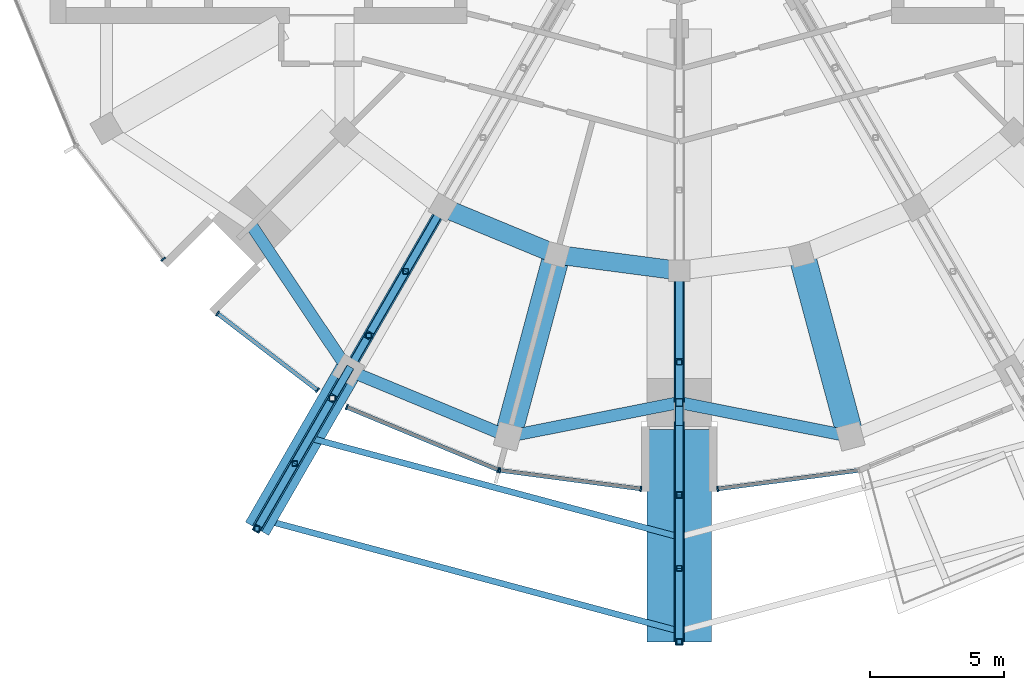
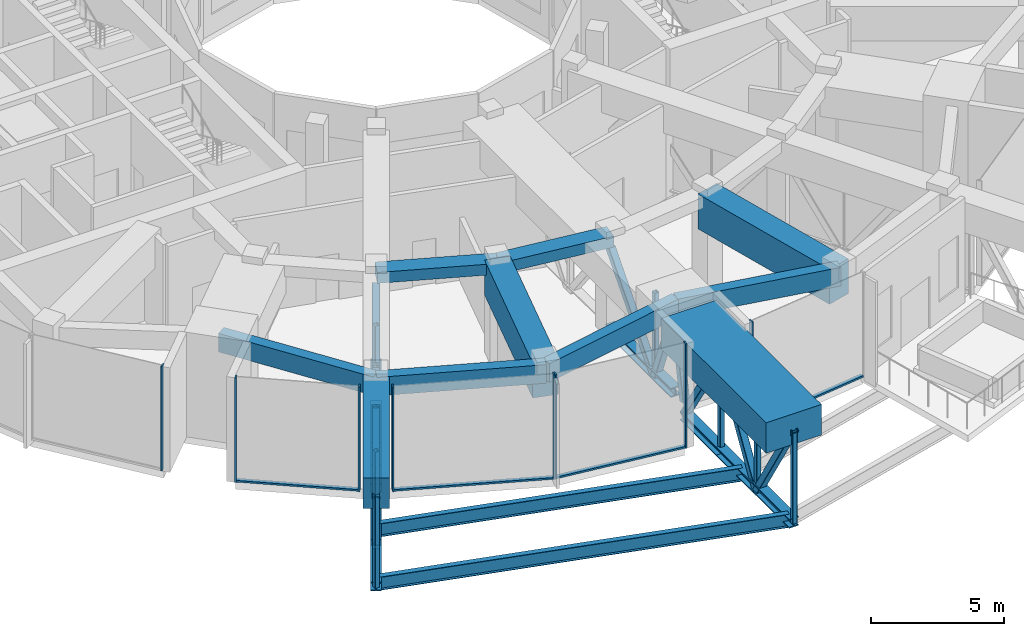
# One storey, part 2 of 17: 44 members, 12 beams, 5 elements without a shape of their own.
"""IFC4 building model written with IfcOpenShell, lengths in metres."""

from ifc_helpers import new_model, si_unit, direction, frame, origin, origin_2d, place, context, subcontext, project, spatial, rectangle, hollow_rectangle, i_section, extrude, material, layer, layer_set, material_profile, profile_set, type_object, element, aggregate, save


model = new_model("IFC4")

# Units and contexts
model_context = context("Model", 3, precision=1e-05, world=origin(), true_north=direction((0.0, 1.0)))
body_context = subcontext(model_context, "Body", "Model", "MODEL_VIEW")
ifc_project = project(units=[si_unit("LENGTHUNIT", "METRE"), si_unit("AREAUNIT", "SQUARE_METRE"), si_unit("VOLUMEUNIT", "CUBIC_METRE"), si_unit("PLANEANGLEUNIT", "RADIAN"), si_unit("MASSUNIT", "GRAM", prefix="KILO")], contexts=[model_context])

# Site, building, storey
site_placement = place(None, origin())
site = spatial("IfcSite", under=ifc_project, at=site_placement, CompositionType="ELEMENT")
building_placement = place(site_placement, origin())
building = spatial("IfcBuilding", under=site, at=building_placement, Name="Torre Brocal", CompositionType="ELEMENT")
storey_placement = place(building_placement, frame((0.0, 0.0, 270.89990234375)))
storey = spatial("IfcBuildingStorey", under=building, at=storey_placement, Name="L62", CompositionType="ELEMENT", Elevation=270.89990234375)

# Curtain wall, member
ifc_material_1 = material(Name="Aluminium and glass", Category="aluminium")
ifc_layer = layer(ifc_material_1, 0.199951171875)
ifc_layer_set = layer_set([ifc_layer], Name="Aluminium and glass")
curtain_wall_type = type_object("IfcCurtainWallType", Name="CW-1 CURTAIN WALL 4800 HIGH", PredefinedType="NOTDEFINED", material=ifc_layer_set)
curtain_wall_1_placement = place(storey_placement, origin())
curtain_wall_1 = element("IfcCurtainWall", 1, at=curtain_wall_1_placement, inside=storey, type_object=curtain_wall_type, Name="CW-1 RUN 15", PredefinedType="NOTDEFINED")
ifc_material_2 = material(Name="Aluminium, dark anodised", Category="aluminium")
ifc_material_profile_1 = material_profile(ifc_material_2, rectangle(XDim=0.199951171875, YDim=0.06005859375, at=origin_2d()), Name="CW-1 MULLION 60X200")
ifc_profile_set_1 = profile_set([ifc_material_profile_1], Name="Aluminium, dark anodised")
member_type_1 = type_object("IfcMemberType", Name="CW-1 MULLION 60X200", PredefinedType="MULLION", material=ifc_profile_set_1)
member_1_placement = place(storey_placement, frame((60.80859375, 57.83056640625, 0.0), z_axis=(0.0, 0.0, 1.0), x_axis=(0.793353340259, 0.60876142905, 0.0)))
member_1 = element("IfcMember", 2, at=member_1_placement, type_object=member_type_1, Name="CW1-7 mullion 2", PredefinedType="MULLION", context=body_context, shape_type="SweptSolid", body=[
    extrude(rectangle(XDim=0.199951171875, YDim=0.06005859375, at=origin_2d()), origin(), (0.0, 0.0, 1.0), 4.800048828125),
])
aggregate(curtain_wall_1, [member_1])

# Curtain wall, members
curtain_wall_2_placement = place(storey_placement, origin())
curtain_wall_2 = element("IfcCurtainWall", 3, at=curtain_wall_2_placement, inside=storey, type_object=curtain_wall_type, Name="CW-1 RUN 16", PredefinedType="NOTDEFINED")
member_2_placement = place(storey_placement, frame((62.83056640625, 55.80859375, 0.0), z_axis=(0.0, 0.0, 1.0), x_axis=(0.608761429119, 0.793353340206, 0.0)))
member_2 = element("IfcMember", 4, at=member_2_placement, type_object=member_type_1, Name="CW1-7 mullion 1", PredefinedType="MULLION", context=body_context, shape_type="SweptSolid", body=[
    extrude(rectangle(XDim=0.199951171875, YDim=0.06005859375, at=origin_2d()), origin(), (0.0, 0.0, 1.0), 4.800048828125),
])
member_3_placement = place(storey_placement, frame((66.546630859375, 52.957275390625, 0.0), z_axis=(0.0, 0.0, 1.0), x_axis=(0.608761429119, 0.793353340206, 0.0)))
member_3 = element("IfcMember", 5, at=member_3_placement, type_object=member_type_1, Name="CW1-7 mullion 2", PredefinedType="MULLION", context=body_context, shape_type="SweptSolid", body=[
    extrude(rectangle(XDim=0.199951171875, YDim=0.06005859375, at=origin_2d()), origin(), (0.0, 0.0, 1.0), 4.800048828125),
])

curtain_wall_3_placement = place(storey_placement, origin())
curtain_wall_3 = element("IfcCurtainWall", 6, at=curtain_wall_3_placement, inside=storey, type_object=curtain_wall_type, Name="CW-1 RUN 17", PredefinedType="NOTDEFINED")
member_4_placement = place(storey_placement, frame((67.63720703125, 52.32763671875, 0.0), z_axis=(0.0, 0.0, 1.0), x_axis=(0.382683432284, 0.923879532545, 0.0)))
member_4 = element("IfcMember", 7, at=member_4_placement, type_object=member_type_1, Name="CW1-7 mullion 1", PredefinedType="MULLION", context=body_context, shape_type="SweptSolid", body=[
    extrude(rectangle(XDim=0.199951171875, YDim=0.06005859375, at=origin_2d()), origin(), (0.0, 0.0, 1.0), 4.800048828125),
])
member_5_placement = place(storey_placement, frame((73.26904296875, 49.994873046875, 0.0), z_axis=(0.0, 0.0, 1.0), x_axis=(0.382683432284, 0.923879532545, 0.0)))
member_5 = element("IfcMember", 8, at=member_5_placement, type_object=member_type_1, Name="CW1-7 mullion 2", PredefinedType="MULLION", context=body_context, shape_type="SweptSolid", body=[
    extrude(rectangle(XDim=0.199951171875, YDim=0.06005859375, at=origin_2d()), origin(), (0.0, 0.0, 1.0), 4.800048828125),
])

curtain_wall_4_placement = place(storey_placement, origin())
curtain_wall_4 = element("IfcCurtainWall", 9, at=curtain_wall_4_placement, inside=storey, type_object=curtain_wall_type, Name="CW-1 RUN 18", PredefinedType="NOTDEFINED")
member_6_placement = place(storey_placement, frame((73.32666015625, 49.9794921875, 0.0), z_axis=(0.0, 0.0, 1.0), x_axis=(0.13052619222, 0.991444861374, 0.0)))
member_6 = element("IfcMember", 10, at=member_6_placement, type_object=member_type_1, Name="CW1-7 mullion 1", PredefinedType="MULLION", context=body_context, shape_type="SweptSolid", body=[
    extrude(rectangle(XDim=0.199951171875, YDim=0.06005859375, at=origin_2d()), origin(), (0.0, 0.0, 1.0), 4.800048828125),
])
member_7_placement = place(storey_placement, frame((78.5703125, 49.2890625, 0.0), z_axis=(0.0, 0.0, 1.0), x_axis=(0.13052619222, 0.991444861374, 0.0)))
member_7 = element("IfcMember", 11, at=member_7_placement, type_object=member_type_1, Name="CW1-7 mullion 2", PredefinedType="MULLION", context=body_context, shape_type="SweptSolid", body=[
    extrude(rectangle(XDim=0.199951171875, YDim=0.06005859375, at=origin_2d()), origin(), (0.0, 0.0, 1.0), 4.800048828125),
])

# Curtain wall, member
curtain_wall_5_placement = place(storey_placement, origin())
curtain_wall_5 = element("IfcCurtainWall", 12, at=curtain_wall_5_placement, inside=storey, type_object=curtain_wall_type, Name="CW-1 RUN 19", PredefinedType="NOTDEFINED")
member_8_placement = place(storey_placement, frame((81.4296875, 49.2890625, 0.0), z_axis=(0.0, 0.0, 1.0), x_axis=(-0.13052619222, 0.991444861374, 0.0)))
member_8 = element("IfcMember", 13, at=member_8_placement, type_object=member_type_1, Name="CW1-7 mullion 1", PredefinedType="MULLION", context=body_context, shape_type="SweptSolid", body=[
    extrude(rectangle(XDim=0.199951171875, YDim=0.06005859375, at=origin_2d()), origin(), (0.0, 0.0, 1.0), 4.800048828125),
])

# Member
ifc_material_3 = material(Name="Aluminium, dark anodised", Category="aluminium")
ifc_material_profile_2 = material_profile(ifc_material_3, rectangle(XDim=0.159912109375, YDim=0.080078125, at=origin_2d()), Name="CW-1 TRANSOM 160X80")
ifc_profile_set_2 = profile_set([ifc_material_profile_2], Name="Aluminium, dark anodised")
member_type_2 = type_object("IfcMemberType", Name="CW-1 TRANSOM 160X80", PredefinedType="USERDEFINED", material=ifc_profile_set_2)
member_9_placement = place(storey_placement, frame((62.8544921875, 55.790283203125, 0.0400390625), z_axis=(0.793355584282, -0.608758504572, 0.0), x_axis=(0.608758504572, 0.793355584282, 0.0)))
member_9 = element("IfcMember", 14, at=member_9_placement, type_object=member_type_2, Name="CW1-7 transom 1.1", ObjectType="TRANSOM", PredefinedType="USERDEFINED", context=body_context, shape_type="SweptSolid", body=[
    extrude(rectangle(XDim=0.159912109375, YDim=0.080078125, at=origin_2d()), origin(), (0.0, 0.0, 1.0), 4.623779296875),
])

aggregate(curtain_wall_2, [member_2, member_3, member_9])

member_10_placement = place(storey_placement, frame((67.6650390625, 52.316162109375, 0.0400390625), z_axis=(0.923880275831, -0.382681637828, 0.0), x_axis=(0.382681637828, 0.923880275831, 0.0)))
member_10 = element("IfcMember", 15, at=member_10_placement, type_object=member_type_2, Name="CW1-7 transom 1.1", ObjectType="TRANSOM", PredefinedType="USERDEFINED", context=body_context, shape_type="SweptSolid", body=[
    extrude(rectangle(XDim=0.159912109375, YDim=0.080078125, at=origin_2d()), origin(), (0.0, 0.0, 1.0), 6.035888671875),
])

aggregate(curtain_wall_3, [member_4, member_5, member_10])

member_11_placement = place(storey_placement, frame((73.356201171875, 49.9755859375, 0.0400390625), z_axis=(0.991442690863, -0.130542677827, 0.0), x_axis=(0.130542677827, 0.991442690863, 0.0)))
member_11 = element("IfcMember", 16, at=member_11_placement, type_object=member_type_2, Name="CW1-7 transom 1.1", ObjectType="TRANSOM", PredefinedType="USERDEFINED", context=body_context, shape_type="SweptSolid", body=[
    extrude(rectangle(XDim=0.159912109375, YDim=0.080078125, at=origin_2d()), origin(), (0.0, 0.0, 1.0), 5.22900390625),
])

aggregate(curtain_wall_4, [member_6, member_7, member_11])

member_12_placement = place(storey_placement, frame((81.45947265625, 49.29296875, 0.0400390625), z_axis=(0.991442690863, 0.130542677827, 0.0), x_axis=(-0.130542677827, 0.991442690863, 0.0)))
member_12 = element("IfcMember", 17, at=member_12_placement, type_object=member_type_2, Name="CW1-7 transom 1.1", ObjectType="TRANSOM", PredefinedType="USERDEFINED", context=body_context, shape_type="SweptSolid", body=[
    extrude(rectangle(XDim=0.159912109375, YDim=0.080078125, at=origin_2d()), origin(), (0.0, 0.0, 1.0), 5.22900390625),
])

aggregate(curtain_wall_5, [member_8, member_12])

# Beams
ifc_material_4 = material(Name="Steel A992", Category="steel")
ifc_material_profile_3 = material_profile(ifc_material_4, i_section(OverallWidth=0.22900390625, OverallDepth=0.612060546875, WebThickness=0.011962890625, FlangeThickness=0.01953125, at=origin_2d()), Name="W24X84")
ifc_profile_set_3 = profile_set([ifc_material_profile_3], Name="Steel A992")
beam_type_1 = type_object("IfcBeamType", Name="POOL CROSS BEAM TOP -300 W24X84", PredefinedType="BEAM", material=ifc_profile_set_3)
beam_1_placement = place(storey_placement, frame((66.25, 51.184326171875, -0.60595703125), z_axis=(0.965925391166, -0.258820669, 0.0), x_axis=(0.258820669, 0.965925391166, 0.0)))
element("IfcBeam", 18, at=beam_1_placement, inside=storey, type_object=beam_type_1, Name="Beam PX-01", PredefinedType="BEAM", context=body_context, shape_type="SweptSolid", body=[
    extrude(i_section(OverallWidth=0.22900390625, OverallDepth=0.612060546875, WebThickness=0.011962890625, FlangeThickness=0.01953125, at=origin_2d()), origin(), (0.0, 0.0, 1.0), 14.235107421875),
])
beam_2_placement = place(storey_placement, frame((64.5, 48.1533203125, -0.60595703125), z_axis=(0.965924146343, -0.258825314667, 0.0), x_axis=(0.258825314667, 0.965924146343, 0.0)))
element("IfcBeam", 19, at=beam_2_placement, inside=storey, type_object=beam_type_1, Name="Beam PX-01", PredefinedType="BEAM", context=body_context, shape_type="SweptSolid", body=[
    extrude(i_section(OverallWidth=0.22900390625, OverallDepth=0.612060546875, WebThickness=0.011962890625, FlangeThickness=0.01953125, at=origin_2d()), origin(), (0.0, 0.0, 1.0), 16.046875),
])

# Members
ifc_material_5 = material(Name="Steel A992", Category="steel")
ifc_material_profile_4 = material_profile(ifc_material_5, i_section(OverallWidth=0.406494140625, OverallDepth=0.41650390625, WebThickness=0.030029296875, FlangeThickness=0.048095703125, at=origin_2d()), Name="W14X257")
ifc_profile_set_4 = profile_set([ifc_material_profile_4], Name="Steel A992")
member_type_3 = type_object("IfcMemberType", Name="POOL TRUSS BOTTOM CHORD W14X257", PredefinedType="CHORD", material=ifc_profile_set_4)
for number, where, z_axis, x_axis, name in (
    (20, (71.199951171875, 59.758056640625, 0.091796875), (-0.499996545922, -0.866027397988, 0.0), (0.866027397988, -0.499996545922, 0.0), "Member CT-C04"),
    (21, (69.824951171875, 57.37646484375, 0.091796875), (-0.499996545922, -0.866027397988, 0.0), (0.866027397988, -0.499996545922, 0.0), "Member CT-C05"),
):
    element("IfcMember", number, at=place(storey_placement, frame(where, z_axis=z_axis, x_axis=x_axis)), inside=storey, type_object=member_type_3, Name=name, PredefinedType="CHORD", context=body_context, shape_type="SweptSolid", body=[
        extrude(i_section(OverallWidth=0.406494140625, OverallDepth=0.41650390625, WebThickness=0.030029296875, FlangeThickness=0.048095703125, at=origin_2d()), origin(), (0.0, 0.0, 1.0), 2.75),
    ])
member_13_placement = place(storey_placement, frame((68.449951171875, 54.994873046875, 0.091796875), z_axis=(-0.499990139034, -0.866031096941, 0.0), x_axis=(0.866031096941, -0.499990139034, 0.0)))
element("IfcMember", 22, at=member_13_placement, inside=storey, type_object=member_type_3, Name="Member CT-C06", PredefinedType="CHORD", context=body_context, shape_type="SweptSolid", body=[
    extrude(i_section(OverallWidth=0.406494140625, OverallDepth=0.41650390625, WebThickness=0.030029296875, FlangeThickness=0.048095703125, at=origin_2d()), origin(), (0.0, 0.0, 1.0), 1.5),
])
member_14_placement = place(storey_placement, frame((67.699951171875, 53.69580078125, 0.091796875), z_axis=(-0.499951716245, -0.866053278629, 0.0), x_axis=(0.866053278629, -0.499951716245, 0.0)))
element("IfcMember", 23, at=member_14_placement, inside=storey, type_object=member_type_3, Name="Member CT-C07", PredefinedType="CHORD", context=body_context, shape_type="SweptSolid", body=[
    extrude(i_section(OverallWidth=0.406494140625, OverallDepth=0.41650390625, WebThickness=0.030029296875, FlangeThickness=0.048095703125, at=origin_2d()), origin(), (0.0, 0.0, 1.0), 1.1982421875),
])
for number, where, z_axis, x_axis, name in (
    (24, (67.100830078125, 52.657958984375, -0.50830078125), (-0.500001639361, -0.866024457297, 0.0), (0.866024457297, -0.500001639361, 0.0), "Member CT-C08"),
    (25, (65.700439453125, 50.232421875, -0.50830078125), (-0.500001639361, -0.866024457297, 0.0), (0.866024457297, -0.500001639361, 0.0), "Member CT-C09"),
):
    element("IfcMember", number, at=place(storey_placement, frame(where, z_axis=z_axis, x_axis=x_axis)), inside=storey, type_object=member_type_3, Name=name, PredefinedType="CHORD", context=body_context, shape_type="SweptSolid", body=[
        extrude(i_section(OverallWidth=0.406494140625, OverallDepth=0.41650390625, WebThickness=0.030029296875, FlangeThickness=0.048095703125, at=origin_2d()), origin(), (0.0, 0.0, 1.0), 2.80078125),
    ])
member_15_placement = place(storey_placement, frame((80.0, 57.39990234375, 0.091796875), z_axis=(0.0, -1.0, 0.0), x_axis=(1.0, 0.0, 0.0)))
element("IfcMember", 26, at=member_15_placement, inside=storey, type_object=member_type_3, Name="Member CT-C13", PredefinedType="CHORD", context=body_context, shape_type="SweptSolid", body=[
    extrude(i_section(OverallWidth=0.406494140625, OverallDepth=0.41650390625, WebThickness=0.030029296875, FlangeThickness=0.048095703125, at=origin_2d()), origin(), (0.0, 0.0, 1.0), 3.39990234375),
])
member_16_placement = place(storey_placement, frame((80.0, 54.0, 0.091796875), z_axis=(0.0, -1.0, 0.0), x_axis=(1.0, 0.0, 0.0)))
element("IfcMember", 27, at=member_16_placement, inside=storey, type_object=member_type_3, Name="Member CT-C14", PredefinedType="CHORD", context=body_context, shape_type="SweptSolid", body=[
    extrude(i_section(OverallWidth=0.406494140625, OverallDepth=0.41650390625, WebThickness=0.030029296875, FlangeThickness=0.048095703125, at=origin_2d()), origin(), (0.0, 0.0, 1.0), 1.5),
])
for number, where, z_axis, x_axis, name in (
    (28, (80.0, 51.800048828125, -0.50830078125), (0.0, -1.0, 0.0), (1.0, 0.0, 0.0), "Member CT-C16"),
    (29, (80.0, 49.066650390625, -0.50830078125), (0.0, -1.0, 0.0), (1.0, 0.0, 0.0), "Member CT-C17"),
):
    element("IfcMember", number, at=place(storey_placement, frame(where, z_axis=z_axis, x_axis=x_axis)), inside=storey, type_object=member_type_3, Name=name, PredefinedType="CHORD", context=body_context, shape_type="SweptSolid", body=[
        extrude(i_section(OverallWidth=0.406494140625, OverallDepth=0.41650390625, WebThickness=0.030029296875, FlangeThickness=0.048095703125, at=origin_2d()), origin(), (0.0, 0.0, 1.0), 2.7333984375),
    ])
member_17_placement = place(storey_placement, frame((80.0, 46.333251953125, -0.50830078125), z_axis=(0.0, -1.0, 0.0), x_axis=(1.0, 0.0, 0.0)))
element("IfcMember", 30, at=member_17_placement, inside=storey, type_object=member_type_3, Name="Member CT-C18", PredefinedType="CHORD", context=body_context, shape_type="SweptSolid", body=[
    extrude(i_section(OverallWidth=0.406494140625, OverallDepth=0.41650390625, WebThickness=0.030029296875, FlangeThickness=0.048095703125, at=origin_2d()), origin(), (0.0, 0.0, 1.0), 2.733154296875),
])
ifc_material_6 = material(Name="Steel A500 Grade C", Category="steel")
ifc_material_profile_5 = material_profile(ifc_material_6, hollow_rectangle(XDim=0.3046875, YDim=0.3046875, WallThickness=0.014892578125, InnerFilletRadius=0.014892578125, OuterFilletRadius=0.029541015625, at=origin_2d()), Name="HSS12X12X5/8")
ifc_profile_set_5 = profile_set([ifc_material_profile_5], Name="Steel A500 Grade C")
member_type_4 = type_object("IfcMemberType", Name="POOL TRUSS DIAGONAL HSS12X12X5/8", PredefinedType="BRACE", material=ifc_profile_set_5)
for number, where, z_axis, x_axis, name in (
    (31, (71.199951171875, 59.758056640625, 3.780029296875), (-0.288308778561, -0.499370052355, -0.817011382427), (0.866027397988, -0.499996545922, 0.0), "Member CT-D04"),
    (32, (69.824951171875, 57.37646484375, -0.116455078125), (-0.288308778561, -0.499370052355, 0.817011382427), (0.866027397988, -0.499996545922, 0.0), "Member CT-D05"),
):
    element("IfcMember", number, at=place(storey_placement, frame(where, z_axis=z_axis, x_axis=x_axis)), inside=storey, type_object=member_type_4, Name=name, PredefinedType="BRACE", context=body_context, shape_type="SweptSolid", body=[
        extrude(hollow_rectangle(XDim=0.3046875, YDim=0.3046875, WallThickness=0.014892578125, InnerFilletRadius=0.014892578125, OuterFilletRadius=0.029541015625, at=origin_2d()), origin(), (0.0, 0.0, 1.0), 4.769287109375),
    ])
member_18_placement = place(storey_placement, frame((68.449951171875, 54.994873046875, 3.780029296875), z_axis=(-0.17963013398, -0.311136700164, -0.933234680441), x_axis=(0.866031096941, -0.499990139034, 0.0)))
element("IfcMember", 33, at=member_18_placement, inside=storey, type_object=member_type_4, Name="Member CT-D06", PredefinedType="BRACE", context=body_context, shape_type="SweptSolid", body=[
    extrude(hollow_rectangle(XDim=0.3046875, YDim=0.3046875, WallThickness=0.014892578125, InnerFilletRadius=0.014892578125, OuterFilletRadius=0.029541015625, at=origin_2d()), origin(), (0.0, 0.0, 1.0), 4.17529296875),
])
member_19_placement = place(storey_placement, frame((67.699951171875, 53.69580078125, -0.116455078125), z_axis=(-0.146965944968, -0.254585261637, 0.955817637197), x_axis=(0.866053278629, -0.499951716245, 0.0)))
element("IfcMember", 34, at=member_19_placement, inside=storey, type_object=member_type_4, Name="Member CT-D07", PredefinedType="BRACE", context=body_context, shape_type="SweptSolid", body=[
    extrude(hollow_rectangle(XDim=0.3046875, YDim=0.3046875, WallThickness=0.014892578125, InnerFilletRadius=0.014892578125, OuterFilletRadius=0.029541015625, at=origin_2d()), origin(), (0.0, 0.0, 1.0), 4.07666015625),
])
for number, where, z_axis, x_axis, name in (
    (35, (67.100830078125, 52.657958984375, 3.780029296875), (-0.264349019583, -0.457863931233, -0.848811060438), (0.866024457297, -0.500001639361, 0.0), "Member CT-D08"),
    (36, (65.700439453125, 50.232421875, -0.716552734375), (-0.264349019583, -0.457863931233, 0.848811060438), (0.866024457297, -0.500001639361, 0.0), "Member CT-D09"),
):
    element("IfcMember", number, at=place(storey_placement, frame(where, z_axis=z_axis, x_axis=x_axis)), inside=storey, type_object=member_type_4, Name=name, PredefinedType="BRACE", context=body_context, shape_type="SweptSolid", body=[
        extrude(hollow_rectangle(XDim=0.3046875, YDim=0.3046875, WallThickness=0.014892578125, InnerFilletRadius=0.014892578125, OuterFilletRadius=0.029541015625, at=origin_2d()), origin(), (0.0, 0.0, 1.0), 5.297607421875),
    ])
member_20_placement = place(storey_placement, frame((80.0, 57.39990234375, 3.780029296875), z_axis=(0.0, -0.657461154496, -0.75348844074), x_axis=(1.0, 0.0, 0.0)))
element("IfcMember", 37, at=member_20_placement, inside=storey, type_object=member_type_4, Name="Member CT-D13", PredefinedType="BRACE", context=body_context, shape_type="SweptSolid", body=[
    extrude(hollow_rectangle(XDim=0.3046875, YDim=0.3046875, WallThickness=0.014892578125, InnerFilletRadius=0.014892578125, OuterFilletRadius=0.029541015625, at=origin_2d()), origin(), (0.0, 0.0, 1.0), 5.171142578125),
])
member_21_placement = place(storey_placement, frame((80.0, 54.0, -0.116455078125), z_axis=(0.0, -0.359261182476, 0.93323705604), x_axis=(1.0, 0.0, 0.0)))
element("IfcMember", 38, at=member_21_placement, inside=storey, type_object=member_type_4, Name="Member CT-D14", PredefinedType="BRACE", context=body_context, shape_type="SweptSolid", body=[
    extrude(hollow_rectangle(XDim=0.3046875, YDim=0.3046875, WallThickness=0.014892578125, InnerFilletRadius=0.014892578125, OuterFilletRadius=0.029541015625, at=origin_2d()), origin(), (0.0, 0.0, 1.0), 4.17529296875),
])
member_22_placement = place(storey_placement, frame((80.0, 52.5, 3.780029296875), z_axis=(0.0, -0.186451624873, -0.982464142644), x_axis=(1.0, 0.0, 0.0)))
element("IfcMember", 39, at=member_22_placement, inside=storey, type_object=member_type_4, Name="Member CT-D15", PredefinedType="BRACE", context=body_context, shape_type="SweptSolid", body=[
    extrude(hollow_rectangle(XDim=0.3046875, YDim=0.3046875, WallThickness=0.014892578125, InnerFilletRadius=0.014892578125, OuterFilletRadius=0.029541015625, at=origin_2d()), origin(), (0.0, 0.0, 1.0), 3.754150390625),
])
member_23_placement = place(storey_placement, frame((80.0, 51.800048828125, -0.50830078125), z_axis=(0.0, -0.537499734075, 0.843263918278), x_axis=(1.0, 0.0, 0.0)))
element("IfcMember", 40, at=member_23_placement, inside=storey, type_object=member_type_4, Name="Member CT-D16", PredefinedType="BRACE", context=body_context, shape_type="SweptSolid", body=[
    extrude(hollow_rectangle(XDim=0.3046875, YDim=0.3046875, WallThickness=0.014892578125, InnerFilletRadius=0.014892578125, OuterFilletRadius=0.029541015625, at=origin_2d()), origin(), (0.0, 0.0, 1.0), 5.08544921875),
])
member_24_placement = place(storey_placement, frame((80.0, 49.066650390625, 3.780029296875), z_axis=(0.0, -0.519440540056, -0.854506597602), x_axis=(1.0, 0.0, 0.0)))
element("IfcMember", 41, at=member_24_placement, inside=storey, type_object=member_type_4, Name="Member CT-D17", PredefinedType="BRACE", context=body_context, shape_type="SweptSolid", body=[
    extrude(hollow_rectangle(XDim=0.3046875, YDim=0.3046875, WallThickness=0.014892578125, InnerFilletRadius=0.014892578125, OuterFilletRadius=0.029541015625, at=origin_2d()), origin(), (0.0, 0.0, 1.0), 5.26220703125),
])
member_25_placement = place(storey_placement, frame((80.0, 46.333251953125, -0.716552734375), z_axis=(0.0, -0.519406661922, 0.854527190645), x_axis=(1.0, 0.0, 0.0)))
element("IfcMember", 42, at=member_25_placement, inside=storey, type_object=member_type_4, Name="Member CT-D18", PredefinedType="BRACE", context=body_context, shape_type="SweptSolid", body=[
    extrude(hollow_rectangle(XDim=0.3046875, YDim=0.3046875, WallThickness=0.014892578125, InnerFilletRadius=0.014892578125, OuterFilletRadius=0.029541015625, at=origin_2d()), origin(), (0.0, 0.0, 1.0), 5.261962890625),
])
ifc_material_7 = material(Name="Steel A500 Grade C", Category="steel")
ifc_material_profile_6 = material_profile(ifc_material_7, hollow_rectangle(XDim=0.203125, YDim=0.203125, WallThickness=0.01171875, InnerFilletRadius=0.01171875, OuterFilletRadius=0.023681640625, at=origin_2d()), Name="HSS8X8X1/2")
ifc_profile_set_6 = profile_set([ifc_material_profile_6], Name="Steel A500 Grade C")
member_type_5 = type_object("IfcMemberType", Name="POOL TRUSS POST INSIDE HSS8X8X1/2", PredefinedType="POST", material=ifc_profile_set_6)
for number, where, z_axis, x_axis, name in (
    (43, (69.824951171875, 57.37646484375, 0.091796875), (0.0, 0.0, 1.0), (1.0, 0.0, 0.0), "Member CT-P03"),
    (44, (68.449951171875, 54.994873046875, 0.091796875), (0.0, 0.0, 1.0), (1.0, 0.0, 0.0), "Member CT-P04"),
):
    element("IfcMember", number, at=place(storey_placement, frame(where, z_axis=z_axis, x_axis=x_axis)), inside=storey, type_object=member_type_5, Name=name, PredefinedType="POST", context=body_context, shape_type="SweptSolid", body=[
        extrude(hollow_rectangle(XDim=0.203125, YDim=0.203125, WallThickness=0.01171875, InnerFilletRadius=0.01171875, OuterFilletRadius=0.023681640625, at=origin_2d()), origin(), (0.0, 0.0, 1.0), 3.688232421875),
    ])
member_26_placement = place(storey_placement, frame((67.100830078125, 52.657958984375, -0.50830078125), z_axis=(0.0, 0.0, 1.0), x_axis=(1.0, 0.0, 0.0)))
element("IfcMember", 45, at=member_26_placement, inside=storey, type_object=member_type_5, Name="Member CT-P05", PredefinedType="POST", context=body_context, shape_type="SweptSolid", body=[
    extrude(hollow_rectangle(XDim=0.203125, YDim=0.203125, WallThickness=0.01171875, InnerFilletRadius=0.01171875, OuterFilletRadius=0.023681640625, at=origin_2d()), origin(), (0.0, 0.0, 1.0), 4.288330078125),
])
member_27_placement = place(storey_placement, frame((80.0, 54.0, 0.091796875), z_axis=(0.0, 0.0, 1.0), x_axis=(1.0, 0.0, 0.0)))
element("IfcMember", 46, at=member_27_placement, inside=storey, type_object=member_type_5, Name="Member CT-P10", PredefinedType="POST", context=body_context, shape_type="SweptSolid", body=[
    extrude(hollow_rectangle(XDim=0.203125, YDim=0.203125, WallThickness=0.01171875, InnerFilletRadius=0.01171875, OuterFilletRadius=0.023681640625, at=origin_2d()), origin(), (0.0, 0.0, 1.0), 3.688232421875),
])
ifc_material_8 = material(Name="Steel A500 Grade C", Category="steel")
ifc_material_profile_7 = material_profile(ifc_material_8, hollow_rectangle(XDim=0.203125, YDim=0.203125, WallThickness=0.01171875, InnerFilletRadius=0.01171875, OuterFilletRadius=0.023681640625, at=origin_2d()), Name="HSS8X8X1/2")
ifc_profile_set_7 = profile_set([ifc_material_profile_7], Name="Steel A500 Grade C")
member_type_6 = type_object("IfcMemberType", Name="POOL TRUSS POST OUTSIDE HSS8X8X1/2", PredefinedType="POST", material=ifc_profile_set_7)
for number, where, z_axis, x_axis, name in (
    (47, (65.700439453125, 50.232421875, -0.50830078125), (0.0, 0.0, 1.0), (1.0, 0.0, 0.0), "Member CT-P06"),
    (48, (64.300048828125, 47.806884765625, -0.50830078125), (0.0, 0.0, 1.0), (1.0, 0.0, 0.0), "Member CT-P07"),
    (49, (80.0, 49.066650390625, -0.50830078125), (0.0, 0.0, 1.0), (1.0, 0.0, 0.0), "Member CT-P11"),
    (50, (80.0, 46.333251953125, -0.50830078125), (0.0, 0.0, 1.0), (1.0, 0.0, 0.0), "Member CT-P12"),
    (51, (80.0, 43.60009765625, -0.50830078125), (0.0, 0.0, 1.0), (1.0, 0.0, 0.0), "Member CT-P13"),
):
    element("IfcMember", number, at=place(storey_placement, frame(where, z_axis=z_axis, x_axis=x_axis)), inside=storey, type_object=member_type_6, Name=name, PredefinedType="POST", context=body_context, shape_type="SweptSolid", body=[
        extrude(hollow_rectangle(XDim=0.203125, YDim=0.203125, WallThickness=0.01171875, InnerFilletRadius=0.01171875, OuterFilletRadius=0.023681640625, at=origin_2d()), origin(), (0.0, 0.0, 1.0), 4.288330078125),
    ])

# Beams
ifc_material_9 = material(Name="Concrete C50", Category="concrete")
ifc_material_profile_8 = material_profile(ifc_material_9, rectangle(XDim=0.699951171875, YDim=0.5, at=origin_2d()), Name="RC 700X500")
ifc_profile_set_8 = profile_set([ifc_material_profile_8], Name="Concrete C50")
beam_type_2 = type_object("IfcBeamType", Name="RC BEAM 700X500 C50 TOP 4480", PredefinedType="BEAM", material=ifc_profile_set_8)
beam_3_placement = place(storey_placement, frame((71.199951171875, 59.758056640625, 4.22998046875), z_axis=(0.923878240166, -0.382686552348, 0.0), x_axis=(0.382686552348, 0.923878240166, 0.0)))
element("IfcBeam", 52, at=beam_3_placement, inside=storey, type_object=beam_type_2, Name="Beam BT-45", PredefinedType="BEAM", context=body_context, shape_type="SweptSolid", body=[
    extrude(rectangle(XDim=0.699951171875, YDim=0.5, at=origin_2d()), origin(), (0.0, 0.0, 1.0), 4.5947265625),
])
beam_4_placement = place(storey_placement, frame((75.44482421875, 57.999755859375, 4.22998046875), z_axis=(0.991440544449, -0.130558978332, 0.0), x_axis=(0.130558978332, 0.991440544449, 0.0)))
element("IfcBeam", 53, at=beam_4_placement, inside=storey, type_object=beam_type_2, Name="Beam BT-45", PredefinedType="BEAM", context=body_context, shape_type="SweptSolid", body=[
    extrude(rectangle(XDim=0.699951171875, YDim=0.5, at=origin_2d()), origin(), (0.0, 0.0, 1.0), 4.594482421875),
])
ifc_material_10 = material(Name="Concrete C50", Category="concrete")
ifc_material_profile_9 = material_profile(ifc_material_10, rectangle(XDim=0.449951171875, YDim=0.85009765625, at=origin_2d()), Name="RC 450X850")
ifc_profile_set_9 = profile_set([ifc_material_profile_9], Name="Concrete C50")
beam_type_3 = type_object("IfcBeamType", Name="RC SPANDREL BEAM 450X850 C50 TOP 4480", PredefinedType="SPANDREL", material=ifc_profile_set_9)
beam_5_placement = place(storey_placement, frame((64.090087890625, 59.090087890625, 4.05517578125), z_axis=(0.556157602282, -0.831076844476, 0.0), x_axis=(0.831076844476, 0.556157602282, 0.0)))
element("IfcBeam", 54, at=beam_5_placement, inside=storey, type_object=beam_type_3, Name="Beam BT-46", PredefinedType="SPANDREL", context=body_context, shape_type="SweptSolid", body=[
    extrude(rectangle(XDim=0.449951171875, YDim=0.85009765625, at=origin_2d()), origin(), (0.0, 0.0, 1.0), 6.49072265625),
])
beam_6_placement = place(storey_placement, frame((67.699951171875, 53.69580078125, 4.05517578125), z_axis=(0.923882462513, -0.382676358639, 0.0), x_axis=(0.382676358639, 0.923882462513, 0.0)))
element("IfcBeam", 55, at=beam_6_placement, inside=storey, type_object=beam_type_3, Name="Beam BT-46", PredefinedType="SPANDREL", context=body_context, shape_type="SweptSolid", body=[
    extrude(rectangle(XDim=0.449951171875, YDim=0.85009765625, at=origin_2d()), origin(), (0.0, 0.0, 1.0), 6.421875),
])
for number, where, z_axis, x_axis, name in (
    (56, (73.633056640625, 51.23828125, 4.05517578125), (0.980924907484, 0.194387051723, 0.0), (-0.194387051723, 0.980924907484, 0.0), "Beam BT-46"),
    (57, (80.0, 52.5, 4.05517578125), (0.980924907484, -0.194387051723, 0.0), (0.194387051723, 0.980924907484, 0.0), "Beam BT-46"),
):
    element("IfcBeam", number, at=place(storey_placement, frame(where, z_axis=z_axis, x_axis=x_axis)), inside=storey, type_object=beam_type_3, Name=name, PredefinedType="SPANDREL", context=body_context, shape_type="SweptSolid", body=[
        extrude(rectangle(XDim=0.449951171875, YDim=0.85009765625, at=origin_2d()), origin(), (0.0, 0.0, 1.0), 6.49072265625),
    ])
ifc_material_11 = material(Name="Concrete C60", Category="concrete")
ifc_material_profile_10 = material_profile(ifc_material_11, rectangle(XDim=1.0, YDim=1.39990234375, at=origin_2d()), Name="RC 1000X1400")
ifc_profile_set_10 = profile_set([ifc_material_profile_10], Name="Concrete C60")
beam_type_4 = type_object("IfcBeamType", Name="RC TRANSFER GIRDER 1000X1400 C60 TOP 4480", PredefinedType="BEAM", material=ifc_profile_set_10)
beam_7_placement = place(storey_placement, frame((67.699951171875, 53.69580078125, 3.780029296875), z_axis=(-0.499992841449, -0.866029536736, 0.0), x_axis=(0.866029536736, -0.499992841449, 0.0)))
element("IfcBeam", 58, at=beam_7_placement, inside=storey, type_object=beam_type_4, Name="Beam TG-16", PredefinedType="BEAM", context=body_context, shape_type="SweptSolid", body=[
    extrude(rectangle(XDim=1.0, YDim=1.39990234375, at=origin_2d()), origin(), (0.0, 0.0, 1.0), 6.7998046875),
])
ifc_material_12 = material(Name="Concrete C60", Category="concrete")
ifc_material_profile_11 = material_profile(ifc_material_12, rectangle(XDim=1.0, YDim=1.60009765625, at=origin_2d()), Name="RC 1000X1600")
ifc_profile_set_11 = profile_set([ifc_material_profile_11], Name="Concrete C60")
beam_type_5 = type_object("IfcBeamType", Name="RC TRANSFER GIRDER 1000X1600 C60 TOP 4480", PredefinedType="BEAM", material=ifc_profile_set_11)
for number, where, z_axis, x_axis, name in (
    (59, (75.44482421875, 57.999755859375, 3.68017578125), (-0.258823832372, -0.965924543531, 0.0), (0.965924543531, -0.258823832372, 0.0), "Beam TG-05"),
    (60, (84.55517578125, 57.999755859375, 3.68017578125), (0.258823832372, -0.965924543531, 0.0), (0.965924543531, 0.258823832372, 0.0), "Beam TG-05"),
):
    element("IfcBeam", number, at=place(storey_placement, frame(where, z_axis=z_axis, x_axis=x_axis)), inside=storey, type_object=beam_type_5, Name=name, PredefinedType="BEAM", context=body_context, shape_type="SweptSolid", body=[
        extrude(rectangle(XDim=1.0, YDim=1.60009765625, at=origin_2d()), origin(), (0.0, 0.0, 1.0), 7.0),
    ])
ifc_material_13 = material(Name="Concrete C60", Category="concrete")
ifc_material_profile_12 = material_profile(ifc_material_13, rectangle(XDim=2.39990234375, YDim=1.39990234375, at=origin_2d()), Name="RC 2400X1400")
ifc_profile_set_12 = profile_set([ifc_material_profile_12], Name="Concrete C60")
beam_type_6 = type_object("IfcBeamType", Name="RC TRANSFER GIRDER 2400X1400 C60 TOP 4480", PredefinedType="BEAM", material=ifc_profile_set_12)
beam_8_placement = place(storey_placement, frame((80.0, 51.5, 3.780029296875), z_axis=(0.0, -1.0, 0.0), x_axis=(1.0, 0.0, 0.0)))
element("IfcBeam", 61, at=beam_8_placement, inside=storey, type_object=beam_type_6, Name="Beam TG-06", PredefinedType="BEAM", context=body_context, shape_type="SweptSolid", body=[
    extrude(rectangle(XDim=2.39990234375, YDim=1.39990234375, at=origin_2d()), origin(), (0.0, 0.0, 1.0), 7.89990234375),
])

save(model, "model.ifc")
